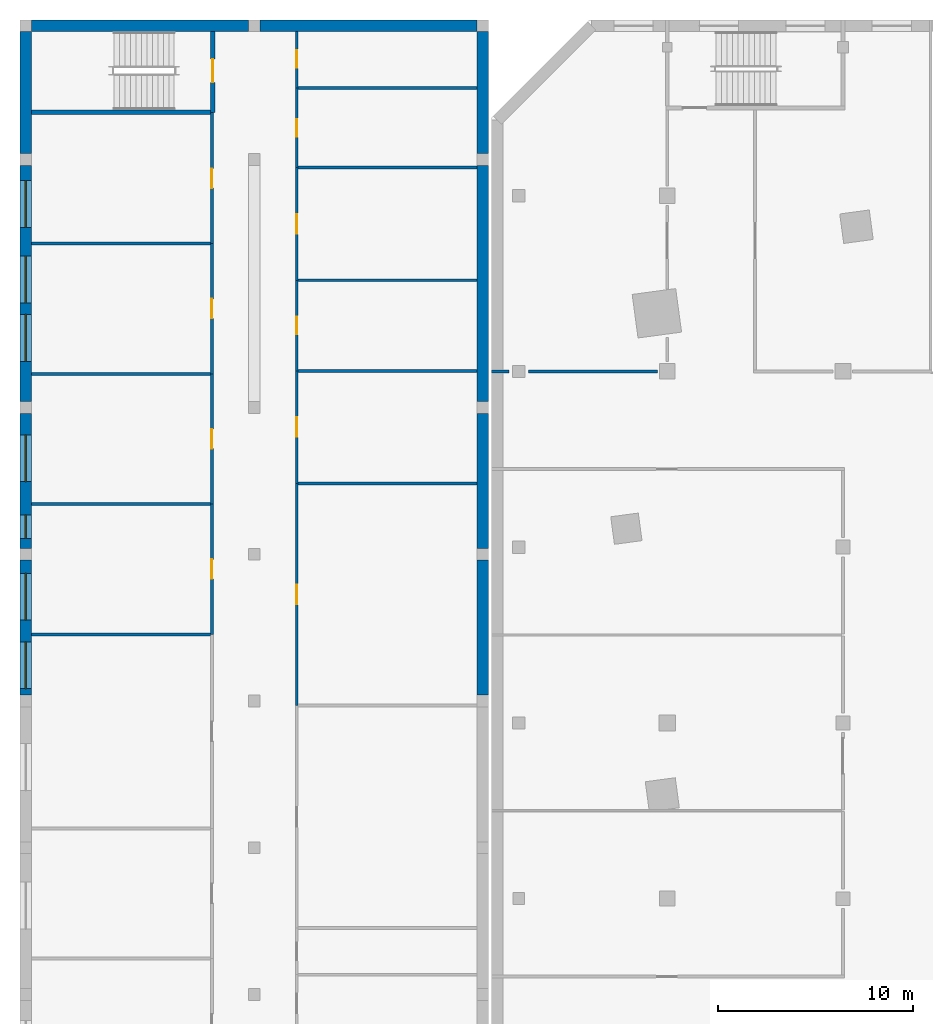
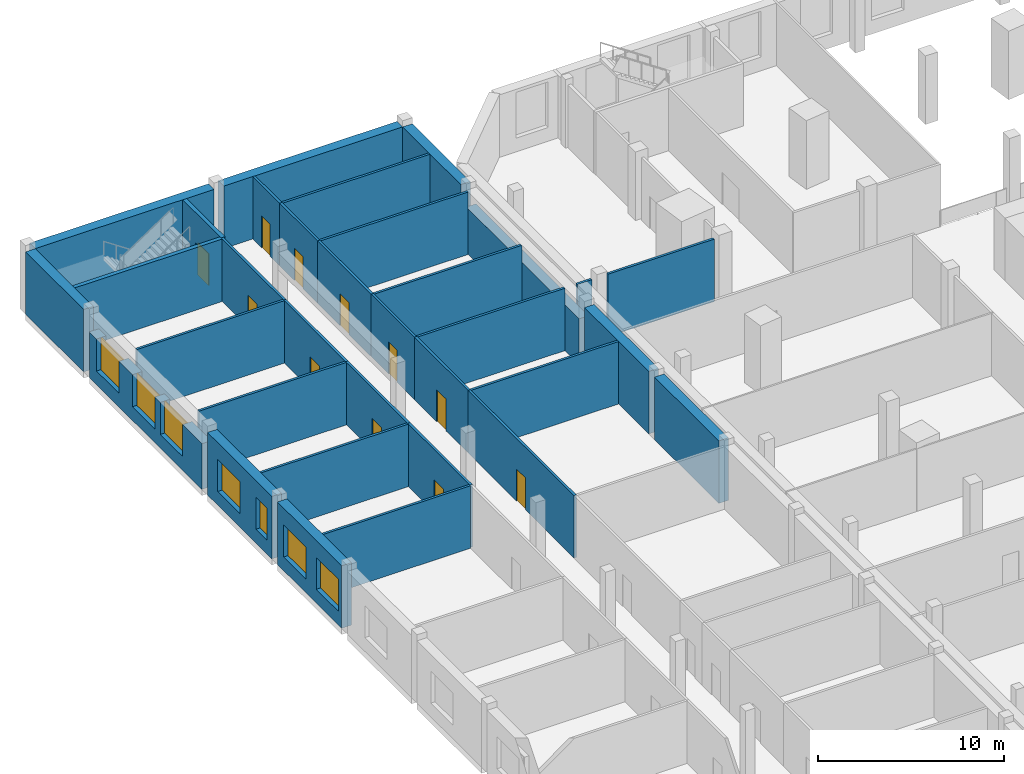
# One storey, part 15 of 27: 33 walls, 11 doors, 7 windows, 18 openings.
"""IFC4 building model written with IfcOpenShell, lengths in metres."""

from ifc_helpers import new_model, si_unit, direction, frame, frame_2d, origin, place, context, subcontext, project, spatial, rectangle, extrude, material, layer, layer_set, type_object, element, fill, save


model = new_model("IFC4")

# Units and contexts
model_context = context("Model", 3, precision=1e-05, world=origin(), true_north=direction((0.0, 1.0)))
body_context = subcontext(model_context, "Body", "Model", "MODEL_VIEW")
ifc_project = project(units=[si_unit("LENGTHUNIT", "METRE"), si_unit("AREAUNIT", "SQUARE_METRE"), si_unit("VOLUMEUNIT", "CUBIC_METRE"), si_unit("PLANEANGLEUNIT", "RADIAN"), si_unit("MASSUNIT", "GRAM", prefix="KILO")], contexts=[model_context])

# Site, building, storey
site_placement = place(None, origin())
site = spatial("IfcSite", under=ifc_project, at=site_placement, CompositionType="ELEMENT")
building_placement = place(site_placement, origin())
building = spatial("IfcBuilding", under=site, at=building_placement, Name="Dilmun Exchange Tower", CompositionType="ELEMENT")
storey_placement = place(building_placement, frame((0.0, 0.0, 4.5)))
storey = spatial("IfcBuildingStorey", under=building, at=storey_placement, Name="L01", CompositionType="ELEMENT", Elevation=4.5)

# Walls
ifc_material_1 = material(Name="Fire partition EI 60 150 gypsum")
ifc_layer_1 = layer(ifc_material_1, 0.14990234375)
ifc_layer_set_1 = layer_set([ifc_layer_1], Name="Fire partition EI 60 150 gypsum")
wall_type_1 = type_object("IfcWallType", Name="Fire partition EI 60 150 gypsum", PredefinedType="PARTITIONING", material=ifc_layer_set_1)
wall_1_placement = place(storey_placement, frame((-36.0, 18.0, 0.0), z_axis=(0.0, 0.0, 1.0), x_axis=(1.0, 0.0, 0.0)))
element("IfcWall", 1, at=wall_1_placement, inside=storey, type_object=wall_type_1, Name="L01 partition", PredefinedType="PARTITIONING", context=body_context, shape_type="SweptSolid", body=[
    extrude(rectangle(XDim=0.89990234375, YDim=0.14990234375, at=frame_2d((0.449951171875, 0.0))), origin(), (0.0, 0.0, 1.0), 4.10009765625),
])
wall_2_placement = place(storey_placement, frame((-34.10009765625, 18.0, 0.0), z_axis=(0.0, 0.0, 1.0), x_axis=(1.0, 0.0, 0.0)))
element("IfcWall", 2, at=wall_2_placement, inside=storey, type_object=wall_type_1, Name="L01 partition", PredefinedType="PARTITIONING", context=body_context, shape_type="SweptSolid", body=[
    extrude(rectangle(XDim=6.60009765625, YDim=0.14990234375, at=frame_2d((3.300048828125, 0.0))), origin(), (0.0, 0.0, 1.0), 4.10009765625),
])

# Wall, openings, windows
ifc_material_2 = material(Name="Precast concrete C40/50", Category="concrete")
ifc_layer_2 = layer(ifc_material_2, 0.60009765625)
ifc_layer_set_2 = layer_set([ifc_layer_2], Name="Precast concrete C40/50")
wall_type_2 = type_object("IfcWallType", Name="School external wall 600 precast C40/50", PredefinedType="STANDARD", material=ifc_layer_set_2)
wall_3_placement = place(storey_placement, frame((-59.85009765625, 1.42138671875, 0.0), z_axis=(0.0, 0.0, 1.0), x_axis=(0.0, 1.0, 0.0)))
wall_3 = element("IfcWall", 3, at=wall_3_placement, inside=storey, type_object=wall_type_2, Name="School external wall", PredefinedType="STANDARD", context=body_context, shape_type="SweptSolid", body=[
    extrude(rectangle(XDim=6.914306640625, YDim=0.60009765625, at=frame_2d((3.45703125, 0.0))), origin(), (0.0, 0.0, 1.0), 4.10009765625),
])
opening_1_placement = place(wall_3_placement, frame((0.333251953125, 0.0, 0.89990234375)))
opening_1 = element("IfcOpeningElement", 4, at=opening_1_placement, cuts=wall_3, Name="Opening SCH-W24", PredefinedType="OPENING", context=body_context, shape_type="SweptSolid", body=[
    extrude(rectangle(XDim=2.39990234375, YDim=2.10009765625, at=frame_2d((1.199951171875, 1.050048828125))), frame((0.0, 0.31005859375, 0.0), z_axis=(0.0, -1.0, 0.0), x_axis=(1.0, 0.0, 0.0)), (0.0, 0.0, 1.0), 0.6201171875),
])
opening_2_placement = place(wall_3_placement, frame((3.835205078125, 0.0, 0.89990234375)))
opening_2 = element("IfcOpeningElement", 5, at=opening_2_placement, cuts=wall_3, Name="Opening SCH-W24", PredefinedType="OPENING", context=body_context, shape_type="SweptSolid", body=[
    extrude(rectangle(XDim=2.39990234375, YDim=2.10009765625, at=frame_2d((1.199951171875, 1.050048828125))), frame((0.0, 0.31005859375, 0.0), z_axis=(0.0, -1.0, 0.0), x_axis=(1.0, 0.0, 0.0)), (0.0, 0.0, 1.0), 0.6201171875),
])
ifc_material_3 = material(Name="Clear low-emissivity glass in aluminium frame", Category="aluminium")
window_type_1 = type_object("IfcWindowType", Name="School window 2400 x 2100", PartitioningType="DOUBLE_PANEL_VERTICAL", PredefinedType="WINDOW", material=ifc_material_3)
window_1_placement = place(opening_1_placement, origin())
window_1 = element("IfcWindow", 6, at=window_1_placement, inside=storey, type_object=window_type_1, Name="School window", OverallHeight=2.10009765625, OverallWidth=2.39990234375, PartitioningType="SINGLE_PANEL", PredefinedType="WINDOW", context=body_context, shape_type="SweptSolid", body=[
    extrude(rectangle(XDim=2.39990234375, YDim=2.10009765625, at=frame_2d((1.199951171875, 1.050048828125))), frame((0.0, 0.030029296875, 0.0), z_axis=(0.0, -1.0, 0.0), x_axis=(1.0, 0.0, 0.0)), (0.0, 0.0, 1.0), 0.06005859375),
])
fill(opening_1, window_1)
window_2_placement = place(opening_2_placement, origin())
window_2 = element("IfcWindow", 7, at=window_2_placement, inside=storey, type_object=window_type_1, Name="School window", OverallHeight=2.10009765625, OverallWidth=2.39990234375, PartitioningType="SINGLE_PANEL", PredefinedType="WINDOW", context=body_context, shape_type="SweptSolid", body=[
    extrude(rectangle(XDim=2.39990234375, YDim=2.10009765625, at=frame_2d((1.199951171875, 1.050048828125))), frame((0.0, 0.030029296875, 0.0), z_axis=(0.0, -1.0, 0.0), x_axis=(1.0, 0.0, 0.0)), (0.0, 0.0, 1.0), 0.06005859375),
])
fill(opening_2, window_2)

wall_4_placement = place(storey_placement, frame((-59.85009765625, 8.935791015625, 0.0), z_axis=(0.0, 0.0, 1.0), x_axis=(0.0, 1.0, 0.0)))
wall_4 = element("IfcWall", 8, at=wall_4_placement, inside=storey, type_object=wall_type_2, Name="School external wall", PredefinedType="STANDARD", context=body_context, shape_type="SweptSolid", body=[
    extrude(rectangle(XDim=6.914306640625, YDim=0.60009765625, at=frame_2d((3.45703125, 0.0))), origin(), (0.0, 0.0, 1.0), 4.10009765625),
])
opening_3_placement = place(wall_4_placement, frame((0.512451171875, 0.0, 0.89990234375)))
opening_3 = element("IfcOpeningElement", 9, at=opening_3_placement, cuts=wall_4, Name="Opening SCH-W12", PredefinedType="OPENING", context=body_context, shape_type="SweptSolid", body=[
    extrude(rectangle(XDim=1.199951171875, YDim=2.10009765625, at=frame_2d((0.60009765625, 1.050048828125))), frame((0.0, 0.31005859375, 0.0), z_axis=(0.0, -1.0, 0.0), x_axis=(1.0, 0.0, 0.0)), (0.0, 0.0, 1.0), 0.6201171875),
])
opening_4_placement = place(wall_4_placement, frame((3.414794921875, 0.0, 0.89990234375)))
opening_4 = element("IfcOpeningElement", 10, at=opening_4_placement, cuts=wall_4, Name="Opening SCH-W24", PredefinedType="OPENING", context=body_context, shape_type="SweptSolid", body=[
    extrude(rectangle(XDim=2.39990234375, YDim=2.10009765625, at=frame_2d((1.199951171875, 1.050048828125))), frame((0.0, 0.31005859375, 0.0), z_axis=(0.0, -1.0, 0.0), x_axis=(1.0, 0.0, 0.0)), (0.0, 0.0, 1.0), 0.6201171875),
])
window_type_2 = type_object("IfcWindowType", Name="School window 1200 x 2100", PartitioningType="DOUBLE_PANEL_VERTICAL", PredefinedType="WINDOW", material=ifc_material_3)
window_3_placement = place(opening_3_placement, origin())
window_3 = element("IfcWindow", 11, at=window_3_placement, inside=storey, type_object=window_type_2, Name="School window", OverallHeight=2.10009765625, OverallWidth=1.199951171875, PartitioningType="SINGLE_PANEL", PredefinedType="WINDOW", context=body_context, shape_type="SweptSolid", body=[
    extrude(rectangle(XDim=1.199951171875, YDim=2.10009765625, at=frame_2d((0.60009765625, 1.050048828125))), frame((0.0, 0.030029296875, 0.0), z_axis=(0.0, -1.0, 0.0), x_axis=(1.0, 0.0, 0.0)), (0.0, 0.0, 1.0), 0.06005859375),
])
fill(opening_3, window_3)
window_4_placement = place(opening_4_placement, origin())
window_4 = element("IfcWindow", 12, at=window_4_placement, inside=storey, type_object=window_type_1, Name="School window", OverallHeight=2.10009765625, OverallWidth=2.39990234375, PartitioningType="SINGLE_PANEL", PredefinedType="WINDOW", context=body_context, shape_type="SweptSolid", body=[
    extrude(rectangle(XDim=2.39990234375, YDim=2.10009765625, at=frame_2d((1.199951171875, 1.050048828125))), frame((0.0, 0.030029296875, 0.0), z_axis=(0.0, -1.0, 0.0), x_axis=(1.0, 0.0, 0.0)), (0.0, 0.0, 1.0), 0.06005859375),
])
fill(opening_4, window_4)

wall_5_placement = place(storey_placement, frame((-59.85009765625, 16.449951171875, 0.0), z_axis=(0.0, 0.0, 1.0), x_axis=(0.0, 1.0, 0.0)))
wall_5 = element("IfcWall", 13, at=wall_5_placement, inside=storey, type_object=wall_type_2, Name="School external wall", PredefinedType="STANDARD", context=body_context, shape_type="SweptSolid", body=[
    extrude(rectangle(XDim=12.10009765625, YDim=0.60009765625, at=frame_2d((6.050048828125, 0.0))), origin(), (0.0, 0.0, 1.0), 3.0),
])
opening_5_placement = place(wall_5_placement, frame((2.069580078125, 0.0, 0.89990234375)))
opening_5 = element("IfcOpeningElement", 14, at=opening_5_placement, cuts=wall_5, Name="Opening SCH-W24", PredefinedType="OPENING", context=body_context, shape_type="SweptSolid", body=[
    extrude(rectangle(XDim=2.39990234375, YDim=2.10009765625, at=frame_2d((1.199951171875, 1.050048828125))), frame((0.0, 0.31005859375, 0.0), z_axis=(0.0, -1.0, 0.0), x_axis=(1.0, 0.0, 0.0)), (0.0, 0.0, 1.0), 0.6201171875),
])
opening_6_placement = place(wall_5_placement, frame((5.06103515625, 0.0, 0.89990234375)))
opening_6 = element("IfcOpeningElement", 15, at=opening_6_placement, cuts=wall_5, Name="Opening SCH-W24", PredefinedType="OPENING", context=body_context, shape_type="SweptSolid", body=[
    extrude(rectangle(XDim=2.39990234375, YDim=2.10009765625, at=frame_2d((1.199951171875, 1.050048828125))), frame((0.0, 0.31005859375, 0.0), z_axis=(0.0, -1.0, 0.0), x_axis=(1.0, 0.0, 0.0)), (0.0, 0.0, 1.0), 0.6201171875),
])
opening_7_placement = place(wall_5_placement, frame((8.923583984375, 0.0, 0.89990234375)))
opening_7 = element("IfcOpeningElement", 16, at=opening_7_placement, cuts=wall_5, Name="Opening SCH-W24", PredefinedType="OPENING", context=body_context, shape_type="SweptSolid", body=[
    extrude(rectangle(XDim=2.39990234375, YDim=2.10009765625, at=frame_2d((1.199951171875, 1.050048828125))), frame((0.0, 0.31005859375, 0.0), z_axis=(0.0, -1.0, 0.0), x_axis=(1.0, 0.0, 0.0)), (0.0, 0.0, 1.0), 0.6201171875),
])
window_5_placement = place(opening_5_placement, origin())
window_5 = element("IfcWindow", 17, at=window_5_placement, inside=storey, type_object=window_type_1, Name="School window", OverallHeight=2.10009765625, OverallWidth=2.39990234375, PartitioningType="SINGLE_PANEL", PredefinedType="WINDOW", context=body_context, shape_type="SweptSolid", body=[
    extrude(rectangle(XDim=2.39990234375, YDim=2.10009765625, at=frame_2d((1.199951171875, 1.050048828125))), frame((0.0, 0.030029296875, 0.0), z_axis=(0.0, -1.0, 0.0), x_axis=(1.0, 0.0, 0.0)), (0.0, 0.0, 1.0), 0.06005859375),
])
fill(opening_5, window_5)
window_6_placement = place(opening_6_placement, origin())
window_6 = element("IfcWindow", 18, at=window_6_placement, inside=storey, type_object=window_type_1, Name="School window", OverallHeight=2.10009765625, OverallWidth=2.39990234375, PartitioningType="SINGLE_PANEL", PredefinedType="WINDOW", context=body_context, shape_type="SweptSolid", body=[
    extrude(rectangle(XDim=2.39990234375, YDim=2.10009765625, at=frame_2d((1.199951171875, 1.050048828125))), frame((0.0, 0.030029296875, 0.0), z_axis=(0.0, -1.0, 0.0), x_axis=(1.0, 0.0, 0.0)), (0.0, 0.0, 1.0), 0.06005859375),
])
fill(opening_6, window_6)
window_7_placement = place(opening_7_placement, origin())
window_7 = element("IfcWindow", 19, at=window_7_placement, inside=storey, type_object=window_type_1, Name="School window", OverallHeight=2.10009765625, OverallWidth=2.39990234375, PartitioningType="SINGLE_PANEL", PredefinedType="WINDOW", context=body_context, shape_type="SweptSolid", body=[
    extrude(rectangle(XDim=2.39990234375, YDim=2.10009765625, at=frame_2d((1.199951171875, 1.050048828125))), frame((0.0, 0.030029296875, 0.0), z_axis=(0.0, -1.0, 0.0), x_axis=(1.0, 0.0, 0.0)), (0.0, 0.0, 1.0), 0.06005859375),
])
fill(opening_7, window_7)

# Walls
wall_6_placement = place(storey_placement, frame((-59.85009765625, 29.14990234375, 0.0), z_axis=(0.0, 0.0, 1.0), x_axis=(0.0, 1.0, 0.0)))
element("IfcWall", 20, at=wall_6_placement, inside=storey, type_object=wall_type_2, Name="School external wall", PredefinedType="STANDARD", context=body_context, shape_type="SweptSolid", body=[
    extrude(rectangle(XDim=6.25, YDim=0.60009765625, at=frame_2d((3.125, 0.0))), origin(), (0.0, 0.0, 1.0), 4.10009765625),
])
for number, where, z_axis, x_axis, name in (
    (21, (-59.550048828125, 35.699951171875, 0.0), (0.0, 0.0, 1.0), (1.0, 0.0, 0.0), "School external wall"),
    (22, (-47.85009765625, 35.699951171875, 0.0), (0.0, 0.0, 1.0), (1.0, 0.0, 0.0), "School external wall"),
):
    element("IfcWall", number, at=place(storey_placement, frame(where, z_axis=z_axis, x_axis=x_axis)), inside=storey, type_object=wall_type_2, Name=name, PredefinedType="STANDARD", context=body_context, shape_type="SweptSolid", body=[
        extrude(rectangle(XDim=11.10009765625, YDim=0.60009765625, at=frame_2d((5.550048828125, 0.0))), origin(), (0.0, 0.0, 1.0), 4.10009765625),
    ])
wall_7_placement = place(storey_placement, frame((-36.449951171875, 35.39990234375, 0.0), z_axis=(0.0, 0.0, 1.0), x_axis=(0.0, -1.0, 0.0)))
element("IfcWall", 23, at=wall_7_placement, inside=storey, type_object=wall_type_2, Name="School external wall", PredefinedType="STANDARD", context=body_context, shape_type="SweptSolid", body=[
    extrude(rectangle(XDim=6.25, YDim=0.60009765625, at=frame_2d((3.125, 0.0))), origin(), (0.0, 0.0, 1.0), 4.10009765625),
])
wall_8_placement = place(storey_placement, frame((-36.449951171875, 28.550048828125, 0.0), z_axis=(0.0, 0.0, 1.0), x_axis=(0.0, -1.0, 0.0)))
element("IfcWall", 24, at=wall_8_placement, inside=storey, type_object=wall_type_2, Name="School external wall", PredefinedType="STANDARD", context=body_context, shape_type="SweptSolid", body=[
    extrude(rectangle(XDim=12.10009765625, YDim=0.60009765625, at=frame_2d((6.050048828125, 0.0))), origin(), (0.0, 0.0, 1.0), 3.0),
])
for number, where, z_axis, x_axis, name in (
    (25, (-36.449951171875, 15.85009765625, 0.0), (0.0, 0.0, 1.0), (0.0, -1.0, 0.0), "School external wall"),
    (26, (-36.449951171875, 8.335693359375, 0.0), (0.0, 0.0, 1.0), (0.0, -1.0, 0.0), "School external wall"),
):
    element("IfcWall", number, at=place(storey_placement, frame(where, z_axis=z_axis, x_axis=x_axis)), inside=storey, type_object=wall_type_2, Name=name, PredefinedType="STANDARD", context=body_context, shape_type="SweptSolid", body=[
        extrude(rectangle(XDim=6.914306640625, YDim=0.60009765625, at=frame_2d((3.45703125, 0.0))), origin(), (0.0, 0.0, 1.0), 4.10009765625),
    ])
ifc_material_4 = material(Name="Gypsum board on steel studs", Category="steel")
ifc_layer_3 = layer(ifc_material_4, 0.14990234375)
ifc_layer_set_3 = layer_set([ifc_layer_3], Name="Gypsum board on steel studs")
wall_type_3 = type_object("IfcWallType", Name="School partition 150 gypsum board", PredefinedType="PARTITIONING", material=ifc_layer_set_3)
for number, where, z_axis, x_axis, name in (
    (27, (-59.550048828125, 4.53271484375, 0.0), (0.0, 0.0, 1.0), (1.0, 0.0, 0.0), "School partition"),
    (28, (-59.550048828125, 11.205810546875, 0.0), (0.0, 0.0, 1.0), (1.0, 0.0, 0.0), "School partition"),
    (29, (-59.550048828125, 17.87890625, 0.0), (0.0, 0.0, 1.0), (1.0, 0.0, 0.0), "School partition"),
    (30, (-59.550048828125, 24.552001953125, 0.0), (0.0, 0.0, 1.0), (1.0, 0.0, 0.0), "School partition"),
):
    element("IfcWall", number, at=place(storey_placement, frame(where, z_axis=z_axis, x_axis=x_axis)), inside=storey, type_object=wall_type_3, Name=name, PredefinedType="PARTITIONING", context=body_context, shape_type="SweptSolid", body=[
        extrude(rectangle(XDim=9.150146484375, YDim=0.14990234375, at=frame_2d((4.5751953125, 0.0))), origin(), (0.0, 0.0, 1.0), 4.10009765625),
    ])

# Wall, opening, door
wall_9_placement = place(storey_placement, frame((-50.324951171875, 4.53271484375, 0.0), z_axis=(0.0, 0.0, 1.0), x_axis=(0.0, 1.0, 0.0)))
wall_9 = element("IfcWall", 31, at=wall_9_placement, inside=storey, type_object=wall_type_3, Name="School corridor wall", PredefinedType="PARTITIONING", context=body_context, shape_type="SweptSolid", body=[
    extrude(rectangle(XDim=6.673095703125, YDim=0.14990234375, at=frame_2d((3.33642578125, 0.0))), origin(), (0.0, 0.0, 1.0), 4.10009765625),
])
opening_8_placement = place(wall_9_placement, frame((2.836669921875, 0.0, 0.0)))
opening_8 = element("IfcOpeningElement", 32, at=opening_8_placement, cuts=wall_9, Name="Opening SCH-D1", PredefinedType="OPENING", context=body_context, shape_type="SweptSolid", body=[
    extrude(rectangle(XDim=1.0, YDim=2.10009765625, at=frame_2d((0.5, 1.050048828125))), frame((0.0, 0.0849609375, 0.0), z_axis=(0.0, -1.0, 0.0), x_axis=(1.0, 0.0, 0.0)), (0.0, 0.0, 1.0), 0.169921875),
])
ifc_material_5 = material(Name="Timber door leaf in steel frame", Category="steel")
door_type_1 = type_object("IfcDoorType", Name="School door FD30S 1000 x 2100", OperationType="NOTDEFINED", PredefinedType="DOOR", material=ifc_material_5)
door_1_placement = place(opening_8_placement, origin())
door_1 = element("IfcDoor", 33, at=door_1_placement, inside=storey, type_object=door_type_1, Name="Classroom door", OperationType="SINGLE_SWING_RIGHT", OverallHeight=2.10009765625, OverallWidth=1.0, PredefinedType="DOOR", context=body_context, shape_type="SweptSolid", body=[
    extrude(rectangle(XDim=1.0, YDim=2.10009765625, at=frame_2d((0.5, 1.050048828125))), frame((0.0, 0.02490234375, 0.0), z_axis=(0.0, -1.0, 0.0), x_axis=(1.0, 0.0, 0.0)), (0.0, 0.0, 1.0), 0.050048828125),
])
fill(opening_8, door_1)

wall_10_placement = place(storey_placement, frame((-50.324951171875, 11.205810546875, 0.0), z_axis=(0.0, 0.0, 1.0), x_axis=(0.0, 1.0, 0.0)))
wall_10 = element("IfcWall", 34, at=wall_10_placement, inside=storey, type_object=wall_type_3, Name="School corridor wall", PredefinedType="PARTITIONING", context=body_context, shape_type="SweptSolid", body=[
    extrude(rectangle(XDim=6.673095703125, YDim=0.14990234375, at=frame_2d((3.33642578125, 0.0))), origin(), (0.0, 0.0, 1.0), 4.10009765625),
])
opening_9_placement = place(wall_10_placement, frame((2.83642578125, 0.0, 0.0)))
opening_9 = element("IfcOpeningElement", 35, at=opening_9_placement, cuts=wall_10, Name="Opening SCH-D1", PredefinedType="OPENING", context=body_context, shape_type="SweptSolid", body=[
    extrude(rectangle(XDim=1.0, YDim=2.10009765625, at=frame_2d((0.5, 1.050048828125))), frame((0.0, 0.0849609375, 0.0), z_axis=(0.0, -1.0, 0.0), x_axis=(1.0, 0.0, 0.0)), (0.0, 0.0, 1.0), 0.169921875),
])
door_2_placement = place(opening_9_placement, origin())
door_2 = element("IfcDoor", 36, at=door_2_placement, inside=storey, type_object=door_type_1, Name="Classroom door", OperationType="SINGLE_SWING_LEFT", OverallHeight=2.10009765625, OverallWidth=1.0, PredefinedType="DOOR", context=body_context, shape_type="SweptSolid", body=[
    extrude(rectangle(XDim=1.0, YDim=2.10009765625, at=frame_2d((0.5, 1.050048828125))), frame((0.0, 0.02490234375, 0.0), z_axis=(0.0, -1.0, 0.0), x_axis=(1.0, 0.0, 0.0)), (0.0, 0.0, 1.0), 0.050048828125),
])
fill(opening_9, door_2)

wall_11_placement = place(storey_placement, frame((-50.324951171875, 17.87890625, 0.0), z_axis=(0.0, 0.0, 1.0), x_axis=(0.0, 1.0, 0.0)))
wall_11 = element("IfcWall", 37, at=wall_11_placement, inside=storey, type_object=wall_type_3, Name="School corridor wall", PredefinedType="PARTITIONING", context=body_context, shape_type="SweptSolid", body=[
    extrude(rectangle(XDim=6.673095703125, YDim=0.14990234375, at=frame_2d((3.33642578125, 0.0))), origin(), (0.0, 0.0, 1.0), 4.10009765625),
])
opening_10_placement = place(wall_11_placement, frame((2.83642578125, 0.0, 0.0)))
opening_10 = element("IfcOpeningElement", 38, at=opening_10_placement, cuts=wall_11, Name="Opening SCH-D1", PredefinedType="OPENING", context=body_context, shape_type="SweptSolid", body=[
    extrude(rectangle(XDim=1.0, YDim=2.10009765625, at=frame_2d((0.5, 1.050048828125))), frame((0.0, 0.0849609375, 0.0), z_axis=(0.0, -1.0, 0.0), x_axis=(1.0, 0.0, 0.0)), (0.0, 0.0, 1.0), 0.169921875),
])
door_3_placement = place(opening_10_placement, origin())
door_3 = element("IfcDoor", 39, at=door_3_placement, inside=storey, type_object=door_type_1, Name="Classroom door", OperationType="SINGLE_SWING_RIGHT", OverallHeight=2.10009765625, OverallWidth=1.0, PredefinedType="DOOR", context=body_context, shape_type="SweptSolid", body=[
    extrude(rectangle(XDim=1.0, YDim=2.10009765625, at=frame_2d((0.5, 1.050048828125))), frame((0.0, 0.02490234375, 0.0), z_axis=(0.0, -1.0, 0.0), x_axis=(1.0, 0.0, 0.0)), (0.0, 0.0, 1.0), 0.050048828125),
])
fill(opening_10, door_3)

wall_12_placement = place(storey_placement, frame((-50.324951171875, 24.552001953125, 0.0), z_axis=(0.0, 0.0, 1.0), x_axis=(0.0, 1.0, 0.0)))
wall_12 = element("IfcWall", 40, at=wall_12_placement, inside=storey, type_object=wall_type_3, Name="School corridor wall", PredefinedType="PARTITIONING", context=body_context, shape_type="SweptSolid", body=[
    extrude(rectangle(XDim=6.722900390625, YDim=0.14990234375, at=frame_2d((3.361328125, 0.0))), origin(), (0.0, 0.0, 1.0), 4.10009765625),
])
opening_11_placement = place(wall_12_placement, frame((2.83642578125, 0.0, 0.0)))
opening_11 = element("IfcOpeningElement", 41, at=opening_11_placement, cuts=wall_12, Name="Opening SCH-D1", PredefinedType="OPENING", context=body_context, shape_type="SweptSolid", body=[
    extrude(rectangle(XDim=1.0, YDim=2.10009765625, at=frame_2d((0.5, 1.050048828125))), frame((0.0, 0.0849609375, 0.0), z_axis=(0.0, -1.0, 0.0), x_axis=(1.0, 0.0, 0.0)), (0.0, 0.0, 1.0), 0.169921875),
])
door_4_placement = place(opening_11_placement, origin())
door_4 = element("IfcDoor", 42, at=door_4_placement, inside=storey, type_object=door_type_1, Name="Classroom door", OperationType="SINGLE_SWING_LEFT", OverallHeight=2.10009765625, OverallWidth=1.0, PredefinedType="DOOR", context=body_context, shape_type="SweptSolid", body=[
    extrude(rectangle(XDim=1.0, YDim=2.10009765625, at=frame_2d((0.5, 1.050048828125))), frame((0.0, 0.02490234375, 0.0), z_axis=(0.0, -1.0, 0.0), x_axis=(1.0, 0.0, 0.0)), (0.0, 0.0, 1.0), 0.050048828125),
])
fill(opening_11, door_4)

# Walls
for number, where, z_axis, x_axis, name in (
    (43, (-45.89990234375, 12.260986328125, 0.0), (0.0, 0.0, 1.0), (1.0, 0.0, 0.0), "School partition"),
    (44, (-45.89990234375, 18.027099609375, 0.0), (0.0, 0.0, 1.0), (1.0, 0.0, 0.0), "School partition"),
    (45, (-45.89990234375, 22.669921875, 0.0), (0.0, 0.0, 1.0), (1.0, 0.0, 0.0), "School partition"),
    (46, (-45.89990234375, 28.435791015625, 0.0), (0.0, 0.0, 1.0), (1.0, 0.0, 0.0), "School partition"),
    (47, (-45.89990234375, 32.51708984375, 0.0), (0.0, 0.0, 1.0), (1.0, 0.0, 0.0), "School partition"),
):
    element("IfcWall", number, at=place(storey_placement, frame(where, z_axis=z_axis, x_axis=x_axis)), inside=storey, type_object=wall_type_3, Name=name, PredefinedType="PARTITIONING", context=body_context, shape_type="SweptSolid", body=[
        extrude(rectangle(XDim=9.14990234375, YDim=0.14990234375, at=frame_2d((4.574951171875, 0.0))), origin(), (0.0, 0.0, 1.0), 4.10009765625),
    ])

# Wall, opening, door
wall_13_placement = place(storey_placement, frame((-45.97509765625, 0.87890625, 0.0), z_axis=(0.0, 0.0, 1.0), x_axis=(0.0, 1.0, 0.0)))
wall_13 = element("IfcWall", 48, at=wall_13_placement, inside=storey, type_object=wall_type_3, Name="School corridor wall", PredefinedType="PARTITIONING", context=body_context, shape_type="SweptSolid", body=[
    extrude(rectangle(XDim=11.382080078125, YDim=0.14990234375, at=frame_2d((5.69091796875, 0.0))), origin(), (0.0, 0.0, 1.0), 4.10009765625),
])
opening_12_placement = place(wall_13_placement, frame((5.19091796875, 0.0, 0.0)))
opening_12 = element("IfcOpeningElement", 49, at=opening_12_placement, cuts=wall_13, Name="Opening SCH-D1", PredefinedType="OPENING", context=body_context, shape_type="SweptSolid", body=[
    extrude(rectangle(XDim=1.0, YDim=2.10009765625, at=frame_2d((0.5, 1.050048828125))), frame((0.0, 0.0849609375, 0.0), z_axis=(0.0, -1.0, 0.0), x_axis=(1.0, 0.0, 0.0)), (0.0, 0.0, 1.0), 0.169921875),
])
door_5_placement = place(opening_12_placement, origin())
door_5 = element("IfcDoor", 50, at=door_5_placement, inside=storey, type_object=door_type_1, Name="Computer suite door", OperationType="SINGLE_SWING_RIGHT", OverallHeight=2.10009765625, OverallWidth=1.0, PredefinedType="DOOR", context=body_context, shape_type="SweptSolid", body=[
    extrude(rectangle(XDim=1.0, YDim=2.10009765625, at=frame_2d((0.5, 1.050048828125))), frame((0.0, 0.02490234375, 0.0), z_axis=(0.0, -1.0, 0.0), x_axis=(1.0, 0.0, 0.0)), (0.0, 0.0, 1.0), 0.050048828125),
])
fill(opening_12, door_5)

wall_14_placement = place(storey_placement, frame((-45.97509765625, 12.260986328125, 0.0), z_axis=(0.0, 0.0, 1.0), x_axis=(0.0, 1.0, 0.0)))
wall_14 = element("IfcWall", 51, at=wall_14_placement, inside=storey, type_object=wall_type_3, Name="School corridor wall", PredefinedType="PARTITIONING", context=body_context, shape_type="SweptSolid", body=[
    extrude(rectangle(XDim=5.76611328125, YDim=0.14990234375, at=frame_2d((2.883056640625, 0.0))), origin(), (0.0, 0.0, 1.0), 4.10009765625),
])
opening_13_placement = place(wall_14_placement, frame((2.383056640625, 0.0, 0.0)))
opening_13 = element("IfcOpeningElement", 52, at=opening_13_placement, cuts=wall_14, Name="Opening SCH-D1", PredefinedType="OPENING", context=body_context, shape_type="SweptSolid", body=[
    extrude(rectangle(XDim=1.0, YDim=2.10009765625, at=frame_2d((0.5, 1.050048828125))), frame((0.0, 0.0849609375, 0.0), z_axis=(0.0, -1.0, 0.0), x_axis=(1.0, 0.0, 0.0)), (0.0, 0.0, 1.0), 0.169921875),
])
door_6_placement = place(opening_13_placement, origin())
door_6 = element("IfcDoor", 53, at=door_6_placement, inside=storey, type_object=door_type_1, Name="Learning support room door", OperationType="SINGLE_SWING_LEFT", OverallHeight=2.10009765625, OverallWidth=1.0, PredefinedType="DOOR", context=body_context, shape_type="SweptSolid", body=[
    extrude(rectangle(XDim=1.0, YDim=2.10009765625, at=frame_2d((0.5, 1.050048828125))), frame((0.0, 0.02490234375, 0.0), z_axis=(0.0, -1.0, 0.0), x_axis=(1.0, 0.0, 0.0)), (0.0, 0.0, 1.0), 0.050048828125),
])
fill(opening_13, door_6)

wall_15_placement = place(storey_placement, frame((-45.97509765625, 18.027099609375, 0.0), z_axis=(0.0, 0.0, 1.0), x_axis=(0.0, 1.0, 0.0)))
wall_15 = element("IfcWall", 54, at=wall_15_placement, inside=storey, type_object=wall_type_3, Name="School corridor wall", PredefinedType="PARTITIONING", context=body_context, shape_type="SweptSolid", body=[
    extrude(rectangle(XDim=4.642822265625, YDim=0.14990234375, at=frame_2d((2.3212890625, 0.0))), origin(), (0.0, 0.0, 1.0), 4.10009765625),
])
opening_14_placement = place(wall_15_placement, frame((1.871337890625, 0.0, 0.0)))
opening_14 = element("IfcOpeningElement", 55, at=opening_14_placement, cuts=wall_15, Name="Opening SCH-D2", PredefinedType="OPENING", context=body_context, shape_type="SweptSolid", body=[
    extrude(rectangle(XDim=0.89990234375, YDim=2.10009765625, at=frame_2d((0.449951171875, 1.050048828125))), frame((0.0, 0.0849609375, 0.0), z_axis=(0.0, -1.0, 0.0), x_axis=(1.0, 0.0, 0.0)), (0.0, 0.0, 1.0), 0.169921875),
])
door_type_2 = type_object("IfcDoorType", Name="School door FD30S 900 x 2100", OperationType="NOTDEFINED", PredefinedType="DOOR", material=ifc_material_5)
door_7_placement = place(opening_14_placement, origin())
door_7 = element("IfcDoor", 56, at=door_7_placement, inside=storey, type_object=door_type_2, Name="Stationery store door", OperationType="SINGLE_SWING_RIGHT", OverallHeight=2.10009765625, OverallWidth=0.89990234375, PredefinedType="DOOR", context=body_context, shape_type="SweptSolid", body=[
    extrude(rectangle(XDim=0.89990234375, YDim=2.10009765625, at=frame_2d((0.449951171875, 1.050048828125))), frame((0.0, 0.02490234375, 0.0), z_axis=(0.0, -1.0, 0.0), x_axis=(1.0, 0.0, 0.0)), (0.0, 0.0, 1.0), 0.050048828125),
])
fill(opening_14, door_7)

wall_16_placement = place(storey_placement, frame((-45.97509765625, 22.669921875, 0.0), z_axis=(0.0, 0.0, 1.0), x_axis=(0.0, 1.0, 0.0)))
wall_16 = element("IfcWall", 57, at=wall_16_placement, inside=storey, type_object=wall_type_3, Name="School corridor wall", PredefinedType="PARTITIONING", context=body_context, shape_type="SweptSolid", body=[
    extrude(rectangle(XDim=5.765869140625, YDim=0.14990234375, at=frame_2d((2.8828125, 0.0))), origin(), (0.0, 0.0, 1.0), 4.10009765625),
])
opening_15_placement = place(wall_16_placement, frame((2.383056640625, 0.0, 0.0)))
opening_15 = element("IfcOpeningElement", 58, at=opening_15_placement, cuts=wall_16, Name="Opening SCH-D1", PredefinedType="OPENING", context=body_context, shape_type="SweptSolid", body=[
    extrude(rectangle(XDim=1.0, YDim=2.10009765625, at=frame_2d((0.5, 1.050048828125))), frame((0.0, 0.0849609375, 0.0), z_axis=(0.0, -1.0, 0.0), x_axis=(1.0, 0.0, 0.0)), (0.0, 0.0, 1.0), 0.169921875),
])
door_8_placement = place(opening_15_placement, origin())
door_8 = element("IfcDoor", 59, at=door_8_placement, inside=storey, type_object=door_type_1, Name="Meeting room door", OperationType="SINGLE_SWING_LEFT", OverallHeight=2.10009765625, OverallWidth=1.0, PredefinedType="DOOR", context=body_context, shape_type="SweptSolid", body=[
    extrude(rectangle(XDim=1.0, YDim=2.10009765625, at=frame_2d((0.5, 1.050048828125))), frame((0.0, 0.02490234375, 0.0), z_axis=(0.0, -1.0, 0.0), x_axis=(1.0, 0.0, 0.0)), (0.0, 0.0, 1.0), 0.050048828125),
])
fill(opening_15, door_8)

wall_17_placement = place(storey_placement, frame((-45.97509765625, 28.435791015625, 0.0), z_axis=(0.0, 0.0, 1.0), x_axis=(0.0, 1.0, 0.0)))
wall_17 = element("IfcWall", 60, at=wall_17_placement, inside=storey, type_object=wall_type_3, Name="School corridor wall", PredefinedType="PARTITIONING", context=body_context, shape_type="SweptSolid", body=[
    extrude(rectangle(XDim=4.081298828125, YDim=0.14990234375, at=frame_2d((2.04052734375, 0.0))), origin(), (0.0, 0.0, 1.0), 4.10009765625),
])
opening_16_placement = place(wall_17_placement, frame((1.590576171875, 0.0, 0.0)))
opening_16 = element("IfcOpeningElement", 61, at=opening_16_placement, cuts=wall_17, Name="Opening SCH-D2", PredefinedType="OPENING", context=body_context, shape_type="SweptSolid", body=[
    extrude(rectangle(XDim=0.89990234375, YDim=2.10009765625, at=frame_2d((0.449951171875, 1.050048828125))), frame((0.0, 0.0849609375, 0.0), z_axis=(0.0, -1.0, 0.0), x_axis=(1.0, 0.0, 0.0)), (0.0, 0.0, 1.0), 0.169921875),
])
door_9_placement = place(opening_16_placement, origin())
door_9 = element("IfcDoor", 62, at=door_9_placement, inside=storey, type_object=door_type_2, Name="Staff WC door", OperationType="SINGLE_SWING_RIGHT", OverallHeight=2.10009765625, OverallWidth=0.89990234375, PredefinedType="DOOR", context=body_context, shape_type="SweptSolid", body=[
    extrude(rectangle(XDim=0.89990234375, YDim=2.10009765625, at=frame_2d((0.449951171875, 1.050048828125))), frame((0.0, 0.02490234375, 0.0), z_axis=(0.0, -1.0, 0.0), x_axis=(1.0, 0.0, 0.0)), (0.0, 0.0, 1.0), 0.050048828125),
])
fill(opening_16, door_9)

wall_18_placement = place(storey_placement, frame((-45.97509765625, 32.51708984375, 0.0), z_axis=(0.0, 0.0, 1.0), x_axis=(0.0, 1.0, 0.0)))
wall_18 = element("IfcWall", 63, at=wall_18_placement, inside=storey, type_object=wall_type_3, Name="School corridor wall", PredefinedType="PARTITIONING", context=body_context, shape_type="SweptSolid", body=[
    extrude(rectangle(XDim=2.8828125, YDim=0.14990234375, at=frame_2d((1.44140625, 0.0))), origin(), (0.0, 0.0, 1.0), 4.10009765625),
])
opening_17_placement = place(wall_18_placement, frame((1.029052734375, 0.0, 0.0)))
opening_17 = element("IfcOpeningElement", 64, at=opening_17_placement, cuts=wall_18, Name="Opening SCH-D2", PredefinedType="OPENING", context=body_context, shape_type="SweptSolid", body=[
    extrude(rectangle(XDim=0.89990234375, YDim=2.10009765625, at=frame_2d((0.449951171875, 1.050048828125))), frame((0.0, 0.0849609375, 0.0), z_axis=(0.0, -1.0, 0.0), x_axis=(1.0, 0.0, 0.0)), (0.0, 0.0, 1.0), 0.169921875),
])
door_10_placement = place(opening_17_placement, origin())
door_10 = element("IfcDoor", 65, at=door_10_placement, inside=storey, type_object=door_type_2, Name="Electrical riser room door", OperationType="SINGLE_SWING_LEFT", OverallHeight=2.10009765625, OverallWidth=0.89990234375, PredefinedType="DOOR", context=body_context, shape_type="SweptSolid", body=[
    extrude(rectangle(XDim=0.89990234375, YDim=2.10009765625, at=frame_2d((0.449951171875, 1.050048828125))), frame((0.0, 0.02490234375, 0.0), z_axis=(0.0, -1.0, 0.0), x_axis=(1.0, 0.0, 0.0)), (0.0, 0.0, 1.0), 0.050048828125),
])
fill(opening_17, door_10)

# Wall
ifc_material_6 = material(Name="Concrete C40/50", Category="concrete")
ifc_layer_4 = layer(ifc_material_6, 0.25)
ifc_layer_set_4 = layer_set([ifc_layer_4], Name="Concrete C40/50")
wall_type_4 = type_object("IfcWallType", Name="School stair and lift wall 250 C40/50", PredefinedType="SHEAR", material=ifc_layer_set_4)
wall_19_placement = place(storey_placement, frame((-59.550048828125, 31.27490234375, 0.0), z_axis=(0.0, 0.0, 1.0), x_axis=(1.0, 0.0, 0.0)))
element("IfcWall", 66, at=wall_19_placement, inside=storey, type_object=wall_type_4, Name="School stair or lift wall", PredefinedType="SHEAR", context=body_context, shape_type="SweptSolid", body=[
    extrude(rectangle(XDim=9.150146484375, YDim=0.25, at=frame_2d((4.5751953125, 0.0))), origin(), (0.0, 0.0, 1.0), 4.10009765625),
])

# Wall, opening, door
wall_20_placement = place(storey_placement, frame((-50.27490234375, 31.27490234375, 0.0), z_axis=(0.0, 0.0, 1.0), x_axis=(0.0, 1.0, 0.0)))
wall_20 = element("IfcWall", 67, at=wall_20_placement, inside=storey, type_object=wall_type_4, Name="School corridor wall", PredefinedType="SHEAR", context=body_context, shape_type="SweptSolid", body=[
    extrude(rectangle(XDim=4.125, YDim=0.25, at=frame_2d((2.0625, 0.0))), origin(), (0.0, 0.0, 1.0), 4.10009765625),
])
opening_18_placement = place(wall_20_placement, frame((1.52490234375, 0.0, 0.0)))
opening_18 = element("IfcOpeningElement", 68, at=opening_18_placement, cuts=wall_20, Name="Opening SCH-D3", PredefinedType="OPENING", context=body_context, shape_type="SweptSolid", body=[
    extrude(rectangle(XDim=1.199951171875, YDim=2.10009765625, at=frame_2d((0.60009765625, 1.050048828125))), frame((0.0, 0.135009765625, 0.0), z_axis=(0.0, -1.0, 0.0), x_axis=(1.0, 0.0, 0.0)), (0.0, 0.0, 1.0), 0.27001953125),
])
door_type_3 = type_object("IfcDoorType", Name="School stair door FD60 1200 x 2100", OperationType="NOTDEFINED", PredefinedType="DOOR", material=ifc_material_5)
door_11_placement = place(opening_18_placement, origin())
door_11 = element("IfcDoor", 69, at=door_11_placement, inside=storey, type_object=door_type_3, Name="Stair S1 door", OperationType="SINGLE_SWING_RIGHT", OverallHeight=2.10009765625, OverallWidth=1.199951171875, PredefinedType="DOOR", context=body_context, shape_type="SweptSolid", body=[
    extrude(rectangle(XDim=1.199951171875, YDim=2.10009765625, at=frame_2d((0.60009765625, 1.050048828125))), frame((0.0, 0.02490234375, 0.0), z_axis=(0.0, -1.0, 0.0), x_axis=(1.0, 0.0, 0.0)), (0.0, 0.0, 1.0), 0.050048828125),
])
fill(opening_18, door_11)

save(model, "model.ifc")
